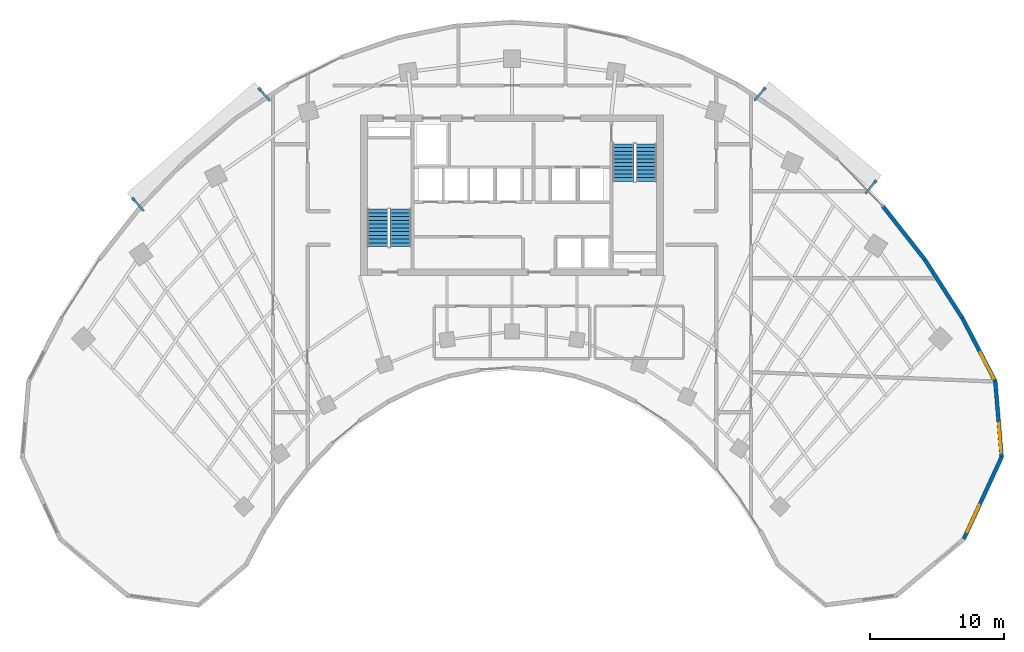
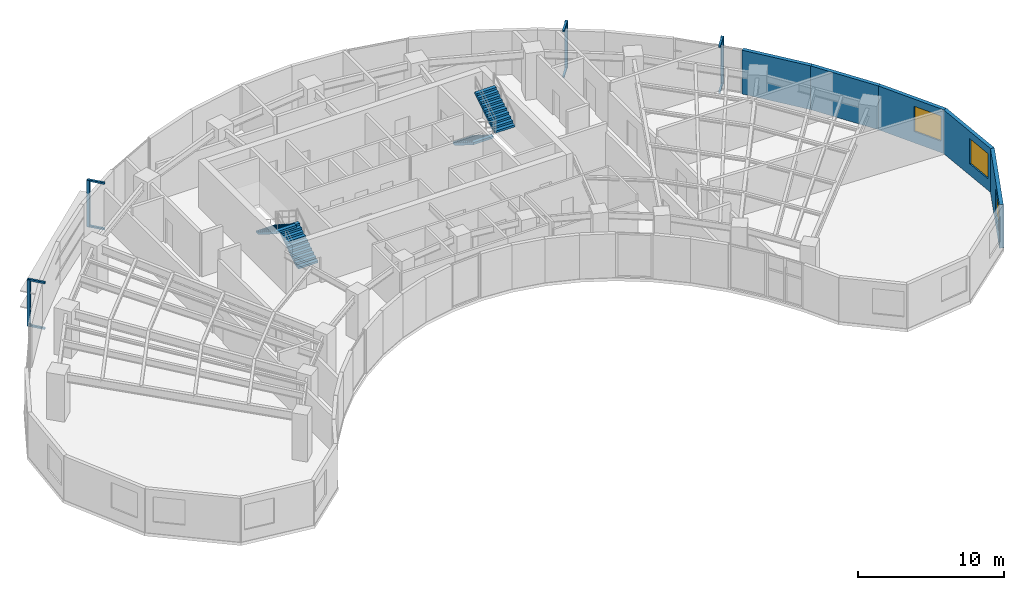
# One storey, part 11 of 13: 12 discrete accessories, 5 walls, 4 stair flights, 3 windows, 3 openings, 2 elements without a shape of their own.
"""IFC4 building model written with IfcOpenShell, lengths in metres."""

from ifc_helpers import new_model, si_unit, direction, frame, frame_2d, origin, origin_2d, place, context, subcontext, project, spatial, polyline, rectangle, outline, extrude, source, transform, mapped, material, layer, layer_set, type_object, type_shapes, element, fill, aggregate, save


model = new_model("IFC4")

# Units and contexts
model_context = context("Model", 3, precision=1e-05, world=origin(), true_north=direction((0.0, 1.0)))
body_context = subcontext(model_context, "Body", "Model", "MODEL_VIEW")
ifc_project = project(units=[si_unit("LENGTHUNIT", "METRE"), si_unit("AREAUNIT", "SQUARE_METRE"), si_unit("VOLUMEUNIT", "CUBIC_METRE"), si_unit("PLANEANGLEUNIT", "RADIAN"), si_unit("MASSUNIT", "GRAM", prefix="KILO")], contexts=[model_context])

# Site, building, storey
site_placement = place(None, origin())
site = spatial("IfcSite", under=ifc_project, at=site_placement, CompositionType="ELEMENT")
building_placement = place(site_placement, origin())
building = spatial("IfcBuilding", under=site, at=building_placement, Name="Breltana Convention Tower", CompositionType="ELEMENT")
storey_placement = place(building_placement, frame((0.0, 0.0, 127.199951171875)))
storey = spatial("IfcBuildingStorey", under=building, at=storey_placement, Name="L30", CompositionType="ELEMENT", Elevation=127.199951171875)

# Wall, opening, window
ifc_material_1 = material(Name="Limestone Buff Insulated Wall", Category="masonry")
ifc_layer = layer(ifc_material_1, 0.280029296875, Name="Limestone Buff Insulated Wall")
ifc_layer_set = layer_set([ifc_layer], Name="Limestone Buff Insulated Wall")
wall_type = type_object("IfcWallType", Name="WL-EXT-NOSE-280", PredefinedType="SOLIDWALL", material=ifc_layer_set)
shared_shape_1 = source(origin(), body_context, "Body", "SweptSolid", [
    extrude(rectangle(XDim=5.673583984375, YDim=0.280029296875, at=frame_2d((2.8369140625, 0.0))), origin(), (0.0, 0.0, 1.0), 3.650146484375),
])
wall_1_placement = place(storey_placement, frame((84.07763671875, 52.305419921875, 0.0), z_axis=(0.0, 0.0, 1.0), x_axis=(0.083309007867, -0.996523762491, 0.0)))
wall_1 = element("IfcWall", 1, at=wall_1_placement, inside=storey, type_object=wall_type, Name="L30 curved limestone nose wall E1", PredefinedType="SOLIDWALL", context=body_context, shape_type="MappedRepresentation", body=[
    mapped(shared_shape_1, transform((0.0, 0.0, 0.0), scale=1.0)),
])
opening_1_placement = place(wall_1_placement, frame((3.155029296875, 0.0, 0.949951171875)))
opening_1 = element("IfcOpeningElement", 2, at=opening_1_placement, cuts=wall_1, Name="Opening W-03", PredefinedType="OPENING", context=body_context, shape_type="SweptSolid", body=[
    extrude(rectangle(XDim=2.199951171875, YDim=2.10009765625, at=frame_2d((1.10009765625, 1.050048828125))), frame((0.0, 0.14990234375, 0.0), z_axis=(0.0, -1.0, 0.0), x_axis=(1.0, 0.0, 0.0)), (0.0, 0.0, 1.0), 0.300048828125),
])
ifc_material_2 = material(Name="Glass Low-E Insulated Window", Category="glass")
window_type = type_object("IfcWindowType", Name="WN-NOSE-2200X2100", PartitioningType="TRIPLE_PANEL_VERTICAL", PredefinedType="WINDOW", material=ifc_material_2)
shared_shape_2 = source(origin(), body_context, "Body", "SweptSolid", [
    extrude(rectangle(XDim=2.199951171875, YDim=2.10009765625, at=frame_2d((1.10009765625, 1.050048828125))), frame((0.0, 0.030029296875, 0.0), z_axis=(0.0, -1.0, 0.0), x_axis=(1.0, 0.0, 0.0)), (0.0, 0.0, 1.0), 0.06005859375),
])
type_shapes(window_type, [shared_shape_2])
window_1_placement = place(opening_1_placement, origin())
window_1 = element("IfcWindow", 3, at=window_1_placement, inside=storey, type_object=window_type, Name="L30 nose window E1", OverallHeight=2.10009765625, OverallWidth=2.199951171875, PartitioningType="TRIPLE_PANEL_VERTICAL", PredefinedType="WINDOW", context=body_context, shape_type="MappedRepresentation", body=[
    mapped(shared_shape_2, transform((0.0, 0.0, 0.0), scale=1.0)),
])
fill(opening_1, window_1)

shared_shape_3 = source(origin(), body_context, "Body", "SweptSolid", [
    extrude(rectangle(XDim=6.731689453125, YDim=0.280029296875, at=frame_2d((3.36572265625, 0.0))), origin(), (0.0, 0.0, 1.0), 3.650146484375),
])
wall_2_placement = place(storey_placement, frame((84.55029296875, 46.651611328125, 0.0), z_axis=(0.0, 0.0, 1.0), x_axis=(-0.419644552709, -0.907688520023, 0.0)))
wall_2 = element("IfcWall", 4, at=wall_2_placement, inside=storey, type_object=wall_type, Name="L30 curved limestone nose wall E2", PredefinedType="SOLIDWALL", context=body_context, shape_type="MappedRepresentation", body=[
    mapped(shared_shape_3, transform((0.0, 0.0, 0.0), scale=1.0)),
])
opening_2_placement = place(wall_2_placement, frame((3.948974609375, 0.0, 0.949951171875)))
opening_2 = element("IfcOpeningElement", 5, at=opening_2_placement, cuts=wall_2, Name="Opening W-03", PredefinedType="OPENING", context=body_context, shape_type="SweptSolid", body=[
    extrude(rectangle(XDim=2.199951171875, YDim=2.10009765625, at=frame_2d((1.10009765625, 1.050048828125))), frame((0.0, 0.14990234375, 0.0), z_axis=(0.0, -1.0, 0.0), x_axis=(1.0, 0.0, 0.0)), (0.0, 0.0, 1.0), 0.300048828125),
])
window_2_placement = place(opening_2_placement, origin())
window_2 = element("IfcWindow", 6, at=window_2_placement, inside=storey, type_object=window_type, Name="L30 nose window E2", OverallHeight=2.10009765625, OverallWidth=2.199951171875, PartitioningType="TRIPLE_PANEL_VERTICAL", PredefinedType="WINDOW", context=body_context, shape_type="MappedRepresentation", body=[
    mapped(shared_shape_2, transform((0.0, 0.0, 0.0), scale=1.0)),
])
fill(opening_2, window_2)

shared_shape_4 = source(origin(), body_context, "Body", "SweptSolid", [
    extrude(rectangle(XDim=5.315185546875, YDim=0.280029296875, at=frame_2d((2.65771484375, 0.0))), origin(), (0.0, 0.0, 1.0), 3.650146484375),
])
wall_3_placement = place(storey_placement, frame((81.623291015625, 57.02001953125, 0.0), z_axis=(0.0, 0.0, 1.0), x_axis=(0.461760527822, -0.887004630735, 0.0)))
wall_3 = element("IfcWall", 7, at=wall_3_placement, inside=storey, type_object=wall_type, Name="L30 curved limestone nose wall E34", PredefinedType="SOLIDWALL", context=body_context, shape_type="MappedRepresentation", body=[
    mapped(shared_shape_4, transform((0.0, 0.0, 0.0), scale=1.0)),
])
opening_3_placement = place(wall_3_placement, frame((2.886474609375, 0.0, 0.949951171875)))
opening_3 = element("IfcOpeningElement", 8, at=opening_3_placement, cuts=wall_3, Name="Opening W-03", PredefinedType="OPENING", context=body_context, shape_type="SweptSolid", body=[
    extrude(rectangle(XDim=2.199951171875, YDim=2.10009765625, at=frame_2d((1.10009765625, 1.050048828125))), frame((0.0, 0.14990234375, 0.0), z_axis=(0.0, -1.0, 0.0), x_axis=(1.0, 0.0, 0.0)), (0.0, 0.0, 1.0), 0.300048828125),
])
window_3_placement = place(opening_3_placement, origin())
window_3 = element("IfcWindow", 9, at=window_3_placement, inside=storey, type_object=window_type, Name="L30 nose window E34", OverallHeight=2.10009765625, OverallWidth=2.199951171875, PartitioningType="TRIPLE_PANEL_VERTICAL", PredefinedType="WINDOW", context=body_context, shape_type="MappedRepresentation", body=[
    mapped(shared_shape_2, transform((0.0, 0.0, 0.0), scale=1.0)),
])
fill(opening_3, window_3)

# Walls
shared_shape_5 = source(origin(), body_context, "Body", "SweptSolid", [
    extrude(rectangle(XDim=5.05810546875, YDim=0.280029296875, at=frame_2d((2.529052734375, 0.0))), origin(), (0.0, 0.0, 1.0), 3.650146484375),
])
wall_4_placement = place(storey_placement, frame((75.684814453125, 65.37646484375, 0.0), z_axis=(0.0, 0.0, 1.0), x_axis=(0.618145507434, -0.786063694391, 0.0)))
element("IfcWall", 10, at=wall_4_placement, inside=storey, type_object=wall_type, Name="L30 curved limestone nose wall E32", PredefinedType="SOLIDWALL", context=body_context, shape_type="MappedRepresentation", body=[
    mapped(shared_shape_5, transform((0.0, 0.0, 0.0), scale=1.0)),
])
shared_shape_6 = source(origin(), body_context, "Body", "SweptSolid", [
    extrude(rectangle(XDim=5.205078125, YDim=0.280029296875, at=frame_2d((2.6025390625, 0.0))), origin(), (0.0, 0.0, 1.0), 3.650146484375),
])
wall_5_placement = place(storey_placement, frame((78.8115234375, 61.400390625, 0.0), z_axis=(0.0, 0.0, 1.0), x_axis=(0.540188528895, -0.8415440293, 0.0)))
element("IfcWall", 11, at=wall_5_placement, inside=storey, type_object=wall_type, Name="L30 curved limestone nose wall E33", PredefinedType="SOLIDWALL", context=body_context, shape_type="MappedRepresentation", body=[
    mapped(shared_shape_6, transform((0.0, 0.0, 0.0), scale=1.0)),
])

# Stair, stair flights
ifc_material_3 = material(Name="Concrete C40/50", Category="concrete")
stair_type = type_object("IfcStairType", Name="ST-DOG-1560-R177", PredefinedType="HALF_TURN_STAIR", material=ifc_material_3)
stair_1_placement = place(storey_placement, origin())
stair_1 = element("IfcStair", 12, at=stair_1_placement, inside=storey, type_object=stair_type, Name="L30 Protected Core Exit Stair ST-1", PredefinedType="HALF_TURN_STAIR")
stair_flight_type = type_object("IfcStairFlightType", Name="STF-DOG-1560-N11-R177", PredefinedType="STRAIGHT", material=ifc_material_3)
stair_flight_1_placement = place(storey_placement, frame((39.68994140625, 62.360107421875, 0.0), z_axis=(0.0, 0.0, 1.0), x_axis=(0.0, 1.0, 0.0)))
stair_flight_1 = element("IfcStairFlight", 13, at=stair_flight_1_placement, type_object=stair_flight_type, Name="ST-1 flight 1", NumberOfRisers=11, NumberOfTreads=10, PredefinedType="STRAIGHT", RiserHeight=0.177272727, TreadLength=0.28, context=body_context, shape_type="SweptSolid", body=[
    extrude(outline(polyline([(0.0, 0.0), (0.0, 0.17724609375), (0.280029296875, 0.17724609375), (0.280029296875, 0.3544921875), (0.56005859375, 0.3544921875), (0.56005859375, 0.53173828125), (0.840087890625, 0.53173828125), (0.840087890625, 0.708984375), (1.1201171875, 0.708984375), (1.1201171875, 0.886474609375), (1.39990234375, 0.886474609375), (1.39990234375, 1.063720703125), (1.679931640625, 1.063720703125), (1.679931640625, 1.240966796875), (1.9599609375, 1.240966796875), (1.9599609375, 1.418212890625), (2.239990234375, 1.418212890625), (2.239990234375, 1.595458984375), (2.52001953125, 1.595458984375), (2.52001953125, 1.772705078125), (2.800048828125, 1.772705078125), (2.800048828125, 1.949951171875), (2.800048828125, 1.59521484375), (0.2802734375, 0.0), (0.0, 0.0)])), frame((0.0, 0.780029296875, 0.0), z_axis=(0.0, -1.0, 0.0), x_axis=(1.0, 0.0, 0.0)), (0.0, 0.0, 1.0), 1.56005859375),
])
stair_flight_2_placement = place(storey_placement, frame((37.97998046875, 65.159912109375, 1.949951171875), z_axis=(0.0, 0.0, 1.0), x_axis=(0.0, -1.0, 0.0)))
stair_flight_2 = element("IfcStairFlight", 14, at=stair_flight_2_placement, type_object=stair_flight_type, Name="ST-1 flight 2", NumberOfRisers=11, NumberOfTreads=10, PredefinedType="STRAIGHT", RiserHeight=0.177272727, TreadLength=0.28, context=body_context, shape_type="SweptSolid", body=[
    extrude(outline(polyline([(0.0, 0.0), (0.0, 0.17724609375), (0.280029296875, 0.17724609375), (0.280029296875, 0.3544921875), (0.56005859375, 0.3544921875), (0.56005859375, 0.53173828125), (0.840087890625, 0.53173828125), (0.840087890625, 0.708984375), (1.1201171875, 0.708984375), (1.1201171875, 0.886474609375), (1.39990234375, 0.886474609375), (1.39990234375, 1.063720703125), (1.679931640625, 1.063720703125), (1.679931640625, 1.240966796875), (1.9599609375, 1.240966796875), (1.9599609375, 1.418212890625), (2.239990234375, 1.418212890625), (2.239990234375, 1.595458984375), (2.52001953125, 1.595458984375), (2.52001953125, 1.772705078125), (2.800048828125, 1.772705078125), (2.800048828125, 1.949951171875), (2.800048828125, 1.59521484375), (0.2802734375, 0.0), (0.0, 0.0)])), frame((0.0, 0.780029296875, 0.0), z_axis=(0.0, -1.0, 0.0), x_axis=(1.0, 0.0, 0.0)), (0.0, 0.0, 1.0), 1.56005859375),
])
aggregate(stair_1, [stair_flight_1, stair_flight_2])

stair_2_placement = place(storey_placement, origin())
stair_2 = element("IfcStair", 15, at=stair_2_placement, inside=storey, type_object=stair_type, Name="L30 Protected Core Exit Stair ST-2", PredefinedType="HALF_TURN_STAIR")
stair_flight_3_placement = place(storey_placement, frame((56.31005859375, 70.0400390625, 0.0), z_axis=(0.0, 0.0, 1.0), x_axis=(0.0, -1.0, 0.0)))
stair_flight_3 = element("IfcStairFlight", 16, at=stair_flight_3_placement, type_object=stair_flight_type, Name="ST-2 flight 1", NumberOfRisers=11, NumberOfTreads=10, PredefinedType="STRAIGHT", RiserHeight=0.177272727, TreadLength=0.28, context=body_context, shape_type="SweptSolid", body=[
    extrude(outline(polyline([(0.0, 0.0), (0.0, 0.17724609375), (0.280029296875, 0.17724609375), (0.280029296875, 0.3544921875), (0.56005859375, 0.3544921875), (0.56005859375, 0.53173828125), (0.840087890625, 0.53173828125), (0.840087890625, 0.708984375), (1.1201171875, 0.708984375), (1.1201171875, 0.886474609375), (1.39990234375, 0.886474609375), (1.39990234375, 1.063720703125), (1.679931640625, 1.063720703125), (1.679931640625, 1.240966796875), (1.9599609375, 1.240966796875), (1.9599609375, 1.418212890625), (2.239990234375, 1.418212890625), (2.239990234375, 1.595458984375), (2.52001953125, 1.595458984375), (2.52001953125, 1.772705078125), (2.800048828125, 1.772705078125), (2.800048828125, 1.949951171875), (2.800048828125, 1.59521484375), (0.2802734375, 0.0), (0.0, 0.0)])), frame((0.0, 0.780029296875, 0.0), z_axis=(0.0, -1.0, 0.0), x_axis=(1.0, 0.0, 0.0)), (0.0, 0.0, 1.0), 1.56005859375),
])
stair_flight_4_placement = place(storey_placement, frame((58.02001953125, 67.239990234375, 1.949951171875), z_axis=(0.0, 0.0, 1.0), x_axis=(0.0, 1.0, 0.0)))
stair_flight_4 = element("IfcStairFlight", 17, at=stair_flight_4_placement, type_object=stair_flight_type, Name="ST-2 flight 2", NumberOfRisers=11, NumberOfTreads=10, PredefinedType="STRAIGHT", RiserHeight=0.177272727, TreadLength=0.28, context=body_context, shape_type="SweptSolid", body=[
    extrude(outline(polyline([(0.0, 0.0), (0.0, 0.17724609375), (0.280029296875, 0.17724609375), (0.280029296875, 0.3544921875), (0.56005859375, 0.3544921875), (0.56005859375, 0.53173828125), (0.840087890625, 0.53173828125), (0.840087890625, 0.708984375), (1.1201171875, 0.708984375), (1.1201171875, 0.886474609375), (1.39990234375, 0.886474609375), (1.39990234375, 1.063720703125), (1.679931640625, 1.063720703125), (1.679931640625, 1.240966796875), (1.9599609375, 1.240966796875), (1.9599609375, 1.418212890625), (2.239990234375, 1.418212890625), (2.239990234375, 1.595458984375), (2.52001953125, 1.595458984375), (2.52001953125, 1.772705078125), (2.800048828125, 1.772705078125), (2.800048828125, 1.949951171875), (2.800048828125, 1.59521484375), (0.2802734375, 0.0), (0.0, 0.0)])), frame((0.0, 0.780029296875, 0.0), z_axis=(0.0, -1.0, 0.0), x_axis=(1.0, 0.0, 0.0)), (0.0, 0.0, 1.0), 1.56005859375),
])
aggregate(stair_2, [stair_flight_3, stair_flight_4])

# Discrete accessories
ifc_material_4 = material(Name="Steel S355", Category="steel")
discrete_accessory_type_1 = type_object("IfcDiscreteAccessoryType", Name="ACC-DSF-BRACKET-150", PredefinedType="BRACKET", material=ifc_material_4)
shared_shape_7 = source(origin(), body_context, "Body", "SweptSolid", [
    extrude(rectangle(XDim=1.239990234375, YDim=0.14990234375, at=origin_2d()), origin(), (0.0, 0.0, 1.0), 0.139892578125),
])
type_shapes(discrete_accessory_type_1, [shared_shape_7])
for number, where, z_axis, x_axis, name in (
    (18, (20.080322265625, 65.49853515625, -0.15966796875), (0.0, 0.0, 1.0), (-0.656454255701, 0.754365833115, 0.0), "L30 double-skin slab stand-off bracket 1.1B"),
    (19, (20.080322265625, 65.49853515625, 3.64990234375), (0.0, 0.0, 1.0), (-0.656454255701, 0.754365833115, 0.0), "L30 double-skin slab stand-off bracket 1.1T"),
    (20, (29.520751953125, 73.713623046875, -0.15966796875), (0.0, 0.0, 1.0), (-0.656454255701, 0.754365833115, 0.0), "L30 double-skin slab stand-off bracket 1.2B"),
    (21, (29.520751953125, 73.713623046875, 3.64990234375), (0.0, 0.0, 1.0), (-0.656454255701, 0.754365833115, 0.0), "L30 double-skin slab stand-off bracket 1.2T"),
    (22, (66.487060546875, 73.735595703125, -0.15966796875), (0.0, 0.0, 1.0), (0.641987488939, 0.766715112702, 0.0), "L30 double-skin slab stand-off bracket 2.1B"),
    (23, (66.487060546875, 73.735595703125, 3.64990234375), (0.0, 0.0, 1.0), (0.641987488939, 0.766715112702, 0.0), "L30 double-skin slab stand-off bracket 2.1T"),
    (24, (74.777099609375, 66.794189453125, -0.15966796875), (0.0, 0.0, 1.0), (0.641987488939, 0.766715112702, 0.0), "L30 double-skin slab stand-off bracket 2.2B"),
    (25, (74.777099609375, 66.794189453125, 3.64990234375), (0.0, 0.0, 1.0), (0.641987488939, 0.766715112702, 0.0), "L30 double-skin slab stand-off bracket 2.2T"),
):
    element("IfcDiscreteAccessory", number, at=place(storey_placement, frame(where, z_axis=z_axis, x_axis=x_axis)), inside=storey, type_object=discrete_accessory_type_1, Name=name, PredefinedType="BRACKET", context=body_context, shape_type="MappedRepresentation", body=[
        mapped(shared_shape_7, transform((0.0, 0.0, 0.0), scale=1.0)),
    ])
discrete_accessory_type_2 = type_object("IfcDiscreteAccessoryType", Name="ACC-DSF-CARRIER-150", PredefinedType="BRACKET", material=ifc_material_4)
shared_shape_8 = source(origin(), body_context, "Body", "SweptSolid", [
    extrude(rectangle(XDim=0.219970703125, YDim=0.219970703125, at=origin_2d()), origin(), (0.0, 0.0, 1.0), 3.8701171875),
])
for number, where, z_axis, x_axis, name in (
    (26, (19.712646484375, 65.9208984375, -0.1201171875), (0.0, 0.0, 1.0), (-0.656454255701, 0.754365833115, 0.0), "L30 double-skin outer vertical carrier 1.1"),
    (27, (29.153076171875, 74.135986328125, -0.1201171875), (0.0, 0.0, 1.0), (-0.656454255701, 0.754365833115, 0.0), "L30 double-skin outer vertical carrier 1.2"),
    (28, (66.8466796875, 74.1650390625, -0.1201171875), (0.0, 0.0, 1.0), (0.641987488939, 0.766715112702, 0.0), "L30 double-skin outer vertical carrier 2.1"),
    (29, (75.13671875, 67.2236328125, -0.1201171875), (0.0, 0.0, 1.0), (0.641987488939, 0.766715112702, 0.0), "L30 double-skin outer vertical carrier 2.2"),
):
    element("IfcDiscreteAccessory", number, at=place(storey_placement, frame(where, z_axis=z_axis, x_axis=x_axis)), inside=storey, type_object=discrete_accessory_type_2, Name=name, PredefinedType="BRACKET", context=body_context, shape_type="MappedRepresentation", body=[
        mapped(shared_shape_8, transform((0.0, 0.0, 0.0), scale=1.0)),
    ])

save(model, "model.ifc")
